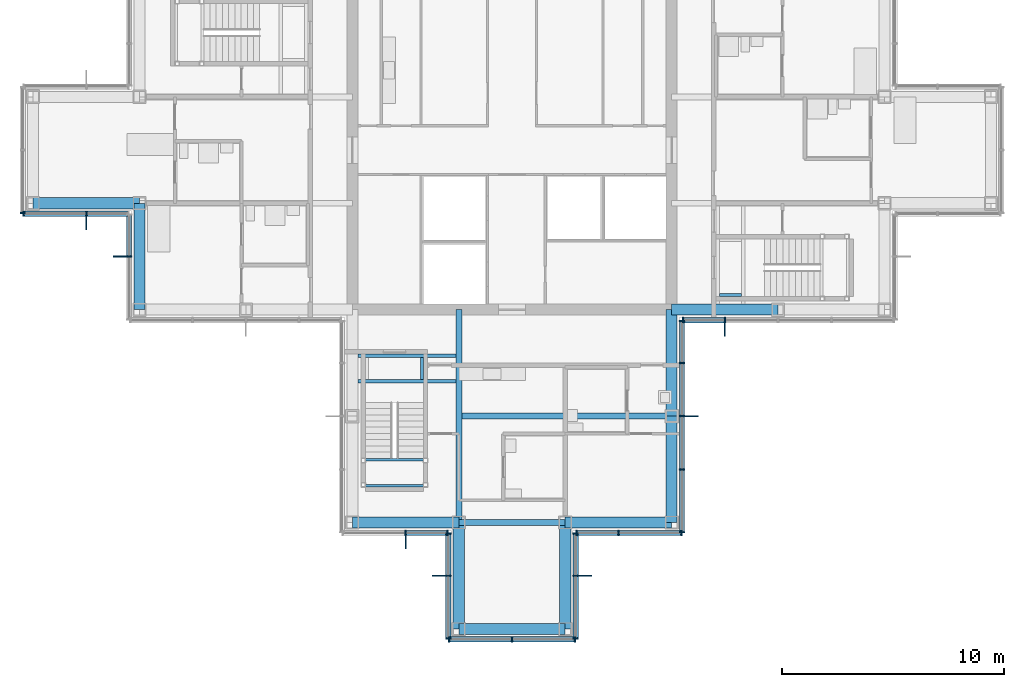
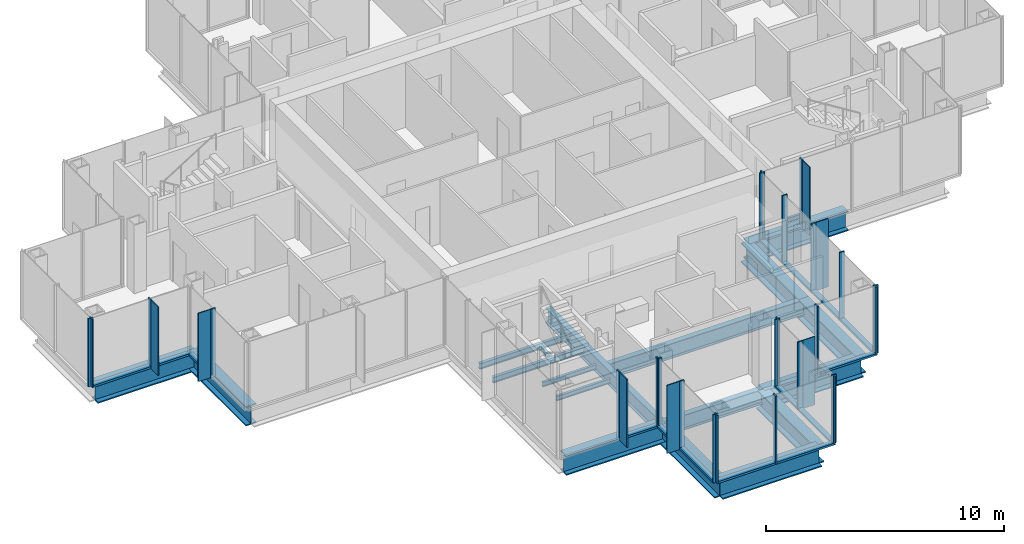
# One storey, part 6 of 17: 49 members, 19 beams, 10 elements without a shape of their own.
"""IFC4 building model written with IfcOpenShell, lengths in metres."""

import ifcopenshell
import ifcopenshell.guid

model = None  # the IFC model being written
_history = None  # IfcOwnerHistory: only IFC2X3 demands one
_inside = {}  # id of a spatial element -> (the spatial element, [elements in it])
_under = {}  # id of a project, library or spatial element -> (it, [spatial elements below it])
_declared = {}  # id of a project -> (the project, [libraries it declares])
_typed = {}  # id of a type object -> (the type object, [elements of that type])
_made_of = {}  # id of a material, layer set ... -> (it, [elements and type objects made of it])


def new_model(schema):
    """Start an empty IFC model of exactly this schema.

    Asked for "IFC4X3", IfcOpenShell would pick the latest addendum, in which some entities
    have other attributes; the version numbers below select the first issue.
    IFC2X3 requires an IfcOwnerHistory on every rooted entity: one is made here for all.
    """
    global model, _history
    if schema == "IFC4X3":
        model = ifcopenshell.file(schema_version=(4, 3, 0, 0))
    else:
        model = ifcopenshell.file(schema=schema)
    _inside.clear()
    _under.clear()
    _declared.clear()
    _typed.clear()
    _made_of.clear()
    _history = None
    if model.schema == "IFC2X3":
        org = make("IfcOrganization", Name="unknown")
        user = make(
            "IfcPersonAndOrganization",
            ThePerson=make("IfcPerson", FamilyName="unknown"),
            TheOrganization=org,
        )
        app = make(
            "IfcApplication",
            ApplicationDeveloper=org,
            Version="unknown",
            ApplicationFullName="unknown",
            ApplicationIdentifier="unknown",
        )
        _history = make(
            "IfcOwnerHistory",
            OwningUser=user,
            OwningApplication=app,
            ChangeAction="ADDED",
            CreationDate=0,
        )
    return model


def make(cls, **values):
    """One entity of the class cls with the attributes given. An attribute that is None is left unset."""
    return model.create_entity(
        cls, **{name: value for name, value in values.items() if value is not None}
    )


def rooted(cls, **values):
    """An entity with a GlobalId (a new one), such as an element, a storey or a relation."""
    return make(cls, GlobalId=ifcopenshell.guid.new(), OwnerHistory=_history, **values)


def si_unit(unit_type, name, prefix=None):
    """IfcSIUnit, for example si_unit("LENGTHUNIT", "METRE", prefix="MILLI")."""
    return make("IfcSIUnit", UnitType=unit_type, Prefix=prefix, Name=name)


def assignment(units):
    """IfcUnitAssignment: the units of a project."""
    return None if units is None else make("IfcUnitAssignment", Units=units)


def point(xyz):
    """IfcCartesianPoint."""
    return None if xyz is None else make("IfcCartesianPoint", Coordinates=xyz)


def direction(xyz):
    """IfcDirection."""
    return None if xyz is None else make("IfcDirection", DirectionRatios=xyz)


def frame(location, z_axis=None, x_axis=None):
    """IfcAxis2Placement3D, a coordinate frame: its origin and axes. An axis left out is left unset."""
    return make(
        "IfcAxis2Placement3D",
        Location=point(location),
        Axis=direction(z_axis),
        RefDirection=direction(x_axis),
    )


def frame_2d(location, x_axis=None):
    """IfcAxis2Placement2D, a coordinate frame in the plane: its origin and x axis."""
    return make(
        "IfcAxis2Placement2D", Location=point(location), RefDirection=direction(x_axis)
    )


def origin():
    """The frame at (0, 0, 0) with its axes left unset."""
    return frame((0.0, 0.0, 0.0))


def origin_2d():
    """The frame at (0, 0) in the plane with its x axis left unset."""
    return frame_2d((0.0, 0.0))


def place(relative_to, where):
    """IfcLocalPlacement: puts the frame where relative to a parent placement (None: the world)."""
    return make(
        "IfcLocalPlacement", PlacementRelTo=relative_to, RelativePlacement=where
    )


def context(
    kind, dimensions, precision=None, world=None, true_north=None, identifier=None
):
    """IfcGeometricRepresentationContext, for example the 3D "Model" context."""
    return make(
        "IfcGeometricRepresentationContext",
        ContextIdentifier=identifier,
        ContextType=kind,
        CoordinateSpaceDimension=dimensions,
        Precision=precision,
        WorldCoordinateSystem=world,
        TrueNorth=true_north,
    )


def subcontext(parent, identifier, kind, view, scale=None):
    """IfcGeometricRepresentationSubContext, for example "Body" below "Model"."""
    return make(
        "IfcGeometricRepresentationSubContext",
        ContextIdentifier=identifier,
        ContextType=kind,
        ParentContext=parent,
        TargetScale=scale,
        TargetView=view,
    )


def project(units=None, contexts=None):
    """IfcProject with its units and contexts."""
    return rooted(
        "IfcProject",
        Name="project",
        RepresentationContexts=contexts,
        UnitsInContext=assignment(units),
    )


def spatial(cls, under=None, at=None, **own):
    """A site, building, storey or space (cls), placed at a placement, below another one or the project."""
    s = rooted(cls, ObjectPlacement=at, **own)
    if under is not None:
        _under.setdefault(under.id(), (under, []))[1].append(s)
    return s


def profile(cls, at=None, kind="AREA", **sizes):
    """A parametric profile (cls). Its sizes go by their IFC names, for example OverallWidth=200.0."""
    return make(cls, ProfileType=kind, Position=at, **sizes)


def rectangle(**sizes):
    """IfcRectangleProfileDef."""
    return profile("IfcRectangleProfileDef", **sizes)


def i_section(**sizes):
    """IfcIShapeProfileDef."""
    return profile("IfcIShapeProfileDef", **sizes)


def extrude(swept, where, along, depth):
    """IfcExtrudedAreaSolid: the profile swept, set in the frame where, extruded along a direction by depth."""
    return make(
        "IfcExtrudedAreaSolid",
        SweptArea=swept,
        Position=where,
        ExtrudedDirection=direction(along),
        Depth=depth,
    )


def shape(context_of_items, identifier, shape_type, items):
    """IfcShapeRepresentation: the items that make up one representation, for example the "Body"."""
    return make(
        "IfcShapeRepresentation",
        ContextOfItems=context_of_items,
        RepresentationIdentifier=identifier,
        RepresentationType=shape_type,
        Items=items,
    )


def material(Name=None, Category=None):
    """IfcMaterial."""
    return make("IfcMaterial", Name=Name, Category=Category)


def material_profile(
    of_material, cross_section, Name=None, Category=None, Priority=None
):
    """IfcMaterialProfile: a cross section and its material."""
    return make(
        "IfcMaterialProfile",
        Name=Name,
        Material=of_material,
        Profile=cross_section,
        Priority=Priority,
        Category=Category,
    )


def profile_set(profiles, Name=None, composite=None):
    """IfcMaterialProfileSet."""
    return make(
        "IfcMaterialProfileSet",
        Name=Name,
        MaterialProfiles=profiles,
        CompositeProfile=composite,
    )


def made_of(thing, what):
    """Note that an element or type object is made of a material, layer set ...; save() writes the relation."""
    if what is not None:
        _made_of.setdefault(what.id(), (what, []))[1].append(thing)
    return thing


def type_object(cls, material=None, **own):
    """A type object (cls), such as IfcWallType, which elements share."""
    return made_of(rooted(cls, **own), material)


def element(
    cls,
    number,
    at=None,
    inside=None,
    cuts=None,
    type_object=None,
    material=None,
    context=None,
    identifier="Body",
    shape_type=None,
    held_by="IfcProductDefinitionShape",
    body=None,
    shapes=None,
    **own,
):
    """One element of the class cls, such as IfcWall. Its Tag is "e" and its number.

    at: its placement. inside: the storey or other place that contains it. cuts: it is an
    opening in that element (IfcRelVoidsElement). A single representation is given by context,
    identifier, shape_type and body (its items); several are given by shapes. held_by: the class
    of the entity that holds the representations. save() writes the other relations.
    """
    e = rooted(cls, Tag="e%d" % number, ObjectPlacement=at, **own)
    if body is not None:
        shapes = [shape(context, identifier, shape_type, body)]
    if shapes is not None:
        e.Representation = make(held_by, Representations=shapes)
    if inside is not None:
        _inside.setdefault(inside.id(), (inside, []))[1].append(e)
    if cuts is not None:
        rooted(
            "IfcRelVoidsElement", RelatingBuildingElement=cuts, RelatedOpeningElement=e
        )
    if type_object is not None:
        _typed.setdefault(type_object.id(), (type_object, []))[1].append(e)
    return made_of(e, material)


def aggregate(whole, parts):
    """IfcRelAggregates: a whole, such as a stair, and the parts it consists of."""
    return rooted("IfcRelAggregates", RelatingObject=whole, RelatedObjects=parts)


def save(model, path):
    """Write the relations noted so far, then the file.

    IfcRelAggregates (storeys below a building ...), IfcRelContainedInSpatialStructure (elements
    in a storey), IfcRelDefinesByType, IfcRelAssociatesMaterial and IfcRelDeclares: one each for
    every whole, place, type object, material and project.
    """
    for whole, parts in _under.values():
        aggregate(whole, parts)
    for where, things in _inside.values():
        rooted(
            "IfcRelContainedInSpatialStructure",
            RelatedElements=things,
            RelatingStructure=where,
        )
    for kind, things in _typed.values():
        rooted("IfcRelDefinesByType", RelatedObjects=things, RelatingType=kind)
    for what, things in _made_of.values():
        rooted("IfcRelAssociatesMaterial", RelatedObjects=things, RelatingMaterial=what)
    for by, libraries in _declared.values():
        rooted("IfcRelDeclares", RelatingContext=by, RelatedDefinitions=libraries)
    model.write(path)


model = new_model("IFC4")

# Units and contexts
model_context = context("Model", 3, precision=1e-05, world=origin(), true_north=direction((0.0, 1.0)))
body_context = subcontext(model_context, "Body", "Model", "MODEL_VIEW")
ifc_project = project(units=[si_unit("LENGTHUNIT", "METRE"), si_unit("AREAUNIT", "SQUARE_METRE"), si_unit("VOLUMEUNIT", "CUBIC_METRE"), si_unit("PLANEANGLEUNIT", "RADIAN"), si_unit("MASSUNIT", "GRAM", prefix="KILO")], contexts=[model_context])

# Site, building, storey
site_placement = place(None, origin())
site = spatial("IfcSite", under=ifc_project, at=site_placement, CompositionType="ELEMENT")
building_placement = place(site_placement, origin())
building = spatial("IfcBuilding", under=site, at=building_placement, Name="Kvirike Care Tower", CompositionType="ELEMENT")
storey_placement = place(building_placement, frame((0.0, 0.0, 151.5)))
storey = spatial("IfcBuildingStorey", under=building, at=storey_placement, Name="L41", CompositionType="ELEMENT", Elevation=151.5)

# Curtain wall, member
ifc_material_1 = material(Name="Anodised aluminium stick system", Category="aluminium")
curtain_wall_type = type_object("IfcCurtainWallType", Name="CW-C STICK CURTAIN WALL", PredefinedType="NOTDEFINED", material=ifc_material_1)
curtain_wall_1_placement = place(storey_placement, origin())
curtain_wall_1 = element("IfcCurtainWall", 1, at=curtain_wall_1_placement, inside=storey, type_object=curtain_wall_type, Name="Curtain wall L41 face 1", PredefinedType="NOTDEFINED")
ifc_material_2 = material(Name="Bronze anodised aluminium fin", Category="aluminium")
ifc_material_profile_1 = material_profile(ifc_material_2, rectangle(XDim=0.050048828125, YDim=0.60009765625, at=origin_2d()), Name="BRONZE FIN 600")
ifc_profile_set_1 = profile_set([ifc_material_profile_1], Name="Bronze anodised aluminium fin")
member_type_1 = type_object("IfcMemberType", Name="BRONZE FIN 600", PredefinedType="USERDEFINED", material=ifc_profile_set_1)
member_1_placement = place(storey_placement, frame((31.199951171875, 27.909912109375, 0.0), z_axis=(0.0, 0.0, 1.0), x_axis=(1.0, 0.0, 0.0)))
member_1 = element("IfcMember", 2, at=member_1_placement, type_object=member_type_1, Name="Bronze fin L41 face 1.2", ObjectType="FIN", PredefinedType="USERDEFINED", context=body_context, shape_type="SweptSolid", body=[
    extrude(rectangle(XDim=0.050048828125, YDim=0.60009765625, at=origin_2d()), origin(), (0.0, 0.0, 1.0), 3.5),
])

curtain_wall_2_placement = place(storey_placement, origin())
curtain_wall_2 = element("IfcCurtainWall", 3, at=curtain_wall_2_placement, inside=storey, type_object=curtain_wall_type, Name="Curtain wall L41 face 19", PredefinedType="NOTDEFINED")
member_2_placement = place(storey_placement, frame((2.39990234375, 32.7099609375, 0.0), z_axis=(0.0, 0.0, 1.0), x_axis=(1.0, 0.0, 0.0)))
member_2 = element("IfcMember", 4, at=member_2_placement, type_object=member_type_1, Name="Bronze fin L41 face 19.2", ObjectType="FIN", PredefinedType="USERDEFINED", context=body_context, shape_type="SweptSolid", body=[
    extrude(rectangle(XDim=0.050048828125, YDim=0.60009765625, at=origin_2d()), origin(), (0.0, 0.0, 1.0), 3.5),
])

curtain_wall_3_placement = place(storey_placement, origin())
curtain_wall_3 = element("IfcCurtainWall", 5, at=curtain_wall_3_placement, inside=storey, type_object=curtain_wall_type, Name="Curtain wall L41 face 20", PredefinedType="NOTDEFINED")
member_3_placement = place(storey_placement, frame((3.909912109375, 31.199951171875, 0.0), z_axis=(0.0, 0.0, 1.0), x_axis=(0.0, -1.0, 0.0)))
member_3 = element("IfcMember", 6, at=member_3_placement, type_object=member_type_1, Name="Bronze fin L41 face 20.2", ObjectType="FIN", PredefinedType="USERDEFINED", context=body_context, shape_type="SweptSolid", body=[
    extrude(rectangle(XDim=0.050048828125, YDim=0.60009765625, at=origin_2d()), origin(), (0.0, 0.0, 1.0), 3.5),
])

curtain_wall_4_placement = place(storey_placement, origin())
curtain_wall_4 = element("IfcCurtainWall", 7, at=curtain_wall_4_placement, inside=storey, type_object=curtain_wall_type, Name="Curtain wall L41 face 23", PredefinedType="NOTDEFINED")
member_4_placement = place(storey_placement, frame((16.800048828125, 18.31005859375, 0.0), z_axis=(0.0, 0.0, 1.0), x_axis=(1.0, 0.0, 0.0)))
member_4 = element("IfcMember", 8, at=member_4_placement, type_object=member_type_1, Name="Bronze fin L41 face 23.2", ObjectType="FIN", PredefinedType="USERDEFINED", context=body_context, shape_type="SweptSolid", body=[
    extrude(rectangle(XDim=0.050048828125, YDim=0.60009765625, at=origin_2d()), origin(), (0.0, 0.0, 1.0), 3.5),
])

curtain_wall_5_placement = place(storey_placement, origin())
curtain_wall_5 = element("IfcCurtainWall", 9, at=curtain_wall_5_placement, inside=storey, type_object=curtain_wall_type, Name="Curtain wall L41 face 24", PredefinedType="NOTDEFINED")
member_5_placement = place(storey_placement, frame((18.31005859375, 16.800048828125, 0.0), z_axis=(0.0, 0.0, 1.0), x_axis=(0.0, -1.0, 0.0)))
member_5 = element("IfcMember", 10, at=member_5_placement, type_object=member_type_1, Name="Bronze fin L41 face 24.2", ObjectType="FIN", PredefinedType="USERDEFINED", context=body_context, shape_type="SweptSolid", body=[
    extrude(rectangle(XDim=0.050048828125, YDim=0.60009765625, at=origin_2d()), origin(), (0.0, 0.0, 1.0), 3.5),
])

curtain_wall_6_placement = place(storey_placement, origin())
curtain_wall_6 = element("IfcCurtainWall", 11, at=curtain_wall_6_placement, inside=storey, type_object=curtain_wall_type, Name="Curtain wall L41 face 26", PredefinedType="NOTDEFINED")
member_6_placement = place(storey_placement, frame((24.889892578125, 16.800048828125, 0.0), z_axis=(0.0, 0.0, 1.0), x_axis=(0.0, 1.0, 0.0)))
member_6 = element("IfcMember", 12, at=member_6_placement, type_object=member_type_1, Name="Bronze fin L41 face 26.2", ObjectType="FIN", PredefinedType="USERDEFINED", context=body_context, shape_type="SweptSolid", body=[
    extrude(rectangle(XDim=0.050048828125, YDim=0.60009765625, at=origin_2d()), origin(), (0.0, 0.0, 1.0), 3.5),
])

curtain_wall_7_placement = place(storey_placement, origin())
curtain_wall_7 = element("IfcCurtainWall", 13, at=curtain_wall_7_placement, inside=storey, type_object=curtain_wall_type, Name="Curtain wall L41 face 28", PredefinedType="NOTDEFINED")
member_7_placement = place(storey_placement, frame((29.68994140625, 24.0, 0.0), z_axis=(0.0, 0.0, 1.0), x_axis=(0.0, 1.0, 0.0)))
member_7 = element("IfcMember", 14, at=member_7_placement, type_object=member_type_1, Name="Bronze fin L41 face 28.3", ObjectType="FIN", PredefinedType="USERDEFINED", context=body_context, shape_type="SweptSolid", body=[
    extrude(rectangle(XDim=0.050048828125, YDim=0.60009765625, at=origin_2d()), origin(), (0.0, 0.0, 1.0), 3.5),
])

# Member
ifc_material_3 = material(Name="Bronze anodised aluminium mullion", Category="aluminium")
ifc_material_profile_2 = material_profile(ifc_material_3, rectangle(XDim=0.06494140625, YDim=0.239990234375, at=origin_2d()), Name="CW-C MULLION 65x240")
ifc_profile_set_2 = profile_set([ifc_material_profile_2], Name="Bronze anodised aluminium mullion")
member_type_2 = type_object("IfcMemberType", Name="CW-C MULLION 65x240", PredefinedType="MULLION", material=ifc_profile_set_2)
member_8_placement = place(storey_placement, frame((29.302490234375, 28.330078125, 0.0), z_axis=(0.0, 0.0, 1.0), x_axis=(1.0, 0.0, 0.0)))
member_8 = element("IfcMember", 15, at=member_8_placement, type_object=member_type_2, Name="CW-C mullion L41 face 1.1", PredefinedType="MULLION", context=body_context, shape_type="SweptSolid", body=[
    extrude(rectangle(XDim=0.06494140625, YDim=0.239990234375, at=origin_2d()), origin(), (0.0, 0.0, 1.0), 3.5),
])

member_9_placement = place(storey_placement, frame((31.199951171875, 28.330078125, 0.0), z_axis=(0.0, 0.0, 1.0), x_axis=(1.0, 0.0, 0.0)))
member_9 = element("IfcMember", 16, at=member_9_placement, type_object=member_type_2, Name="CW-C mullion L41 face 1.2", PredefinedType="MULLION", context=body_context, shape_type="SweptSolid", body=[
    extrude(rectangle(XDim=0.06494140625, YDim=0.239990234375, at=origin_2d()), origin(), (0.0, 0.0, 1.0), 3.5),
])

# Curtain wall, member
curtain_wall_8_placement = place(storey_placement, origin())
curtain_wall_8 = element("IfcCurtainWall", 17, at=curtain_wall_8_placement, inside=storey, type_object=curtain_wall_type, Name="Curtain wall L41 face 18", PredefinedType="NOTDEFINED")
member_10_placement = place(storey_placement, frame((-0.469970703125, 33.16259765625, 0.0), z_axis=(0.0, 0.0, 1.0), x_axis=(0.0, -1.0, 0.0)))
member_10 = element("IfcMember", 18, at=member_10_placement, type_object=member_type_2, Name="CW-C mullion L41 face 18.3", PredefinedType="MULLION", context=body_context, shape_type="SweptSolid", body=[
    extrude(rectangle(XDim=0.06494140625, YDim=0.239990234375, at=origin_2d()), origin(), (0.0, 0.0, 1.0), 3.5),
])
aggregate(curtain_wall_8, [member_10])

# Member
member_11_placement = place(storey_placement, frame((-0.4375, 33.1298828125, 0.0), z_axis=(0.0, 0.0, 1.0), x_axis=(1.0, 0.0, 0.0)))
member_11 = element("IfcMember", 19, at=member_11_placement, type_object=member_type_2, Name="CW-C mullion L41 face 19.1", PredefinedType="MULLION", context=body_context, shape_type="SweptSolid", body=[
    extrude(rectangle(XDim=0.06494140625, YDim=0.239990234375, at=origin_2d()), origin(), (0.0, 0.0, 1.0), 3.5),
])

member_12_placement = place(storey_placement, frame((2.39990234375, 33.1298828125, 0.0), z_axis=(0.0, 0.0, 1.0), x_axis=(1.0, 0.0, 0.0)))
member_12 = element("IfcMember", 20, at=member_12_placement, type_object=member_type_2, Name="CW-C mullion L41 face 19.2", PredefinedType="MULLION", context=body_context, shape_type="SweptSolid", body=[
    extrude(rectangle(XDim=0.06494140625, YDim=0.239990234375, at=origin_2d()), origin(), (0.0, 0.0, 1.0), 3.5),
])

member_13_placement = place(storey_placement, frame((4.330078125, 31.199951171875, 0.0), z_axis=(0.0, 0.0, 1.0), x_axis=(0.0, -1.0, 0.0)))
member_13 = element("IfcMember", 21, at=member_13_placement, type_object=member_type_2, Name="CW-C mullion L41 face 20.2", PredefinedType="MULLION", context=body_context, shape_type="SweptSolid", body=[
    extrude(rectangle(XDim=0.06494140625, YDim=0.239990234375, at=origin_2d()), origin(), (0.0, 0.0, 1.0), 3.5),
])

member_14_placement = place(storey_placement, frame((16.800048828125, 18.72998046875, 0.0), z_axis=(0.0, 0.0, 1.0), x_axis=(1.0, 0.0, 0.0)))
member_14 = element("IfcMember", 22, at=member_14_placement, type_object=member_type_2, Name="CW-C mullion L41 face 23.2", PredefinedType="MULLION", context=body_context, shape_type="SweptSolid", body=[
    extrude(rectangle(XDim=0.06494140625, YDim=0.239990234375, at=origin_2d()), origin(), (0.0, 0.0, 1.0), 3.5),
])

member_15_placement = place(storey_placement, frame((18.697509765625, 18.72998046875, 0.0), z_axis=(0.0, 0.0, 1.0), x_axis=(1.0, 0.0, 0.0)))
member_15 = element("IfcMember", 23, at=member_15_placement, type_object=member_type_2, Name="CW-C mullion L41 face 23.3", PredefinedType="MULLION", context=body_context, shape_type="SweptSolid", body=[
    extrude(rectangle(XDim=0.06494140625, YDim=0.239990234375, at=origin_2d()), origin(), (0.0, 0.0, 1.0), 3.5),
])

member_16_placement = place(storey_placement, frame((18.72998046875, 18.697509765625, 0.0), z_axis=(0.0, 0.0, 1.0), x_axis=(0.0, -1.0, 0.0)))
member_16 = element("IfcMember", 24, at=member_16_placement, type_object=member_type_2, Name="CW-C mullion L41 face 24.1", PredefinedType="MULLION", context=body_context, shape_type="SweptSolid", body=[
    extrude(rectangle(XDim=0.06494140625, YDim=0.239990234375, at=origin_2d()), origin(), (0.0, 0.0, 1.0), 3.5),
])

member_17_placement = place(storey_placement, frame((18.72998046875, 16.800048828125, 0.0), z_axis=(0.0, 0.0, 1.0), x_axis=(0.0, -1.0, 0.0)))
member_17 = element("IfcMember", 25, at=member_17_placement, type_object=member_type_2, Name="CW-C mullion L41 face 24.2", PredefinedType="MULLION", context=body_context, shape_type="SweptSolid", body=[
    extrude(rectangle(XDim=0.06494140625, YDim=0.239990234375, at=origin_2d()), origin(), (0.0, 0.0, 1.0), 3.5),
])

member_18_placement = place(storey_placement, frame((18.72998046875, 13.96240234375, 0.0), z_axis=(0.0, 0.0, 1.0), x_axis=(0.0, -1.0, 0.0)))
member_18 = element("IfcMember", 26, at=member_18_placement, type_object=member_type_2, Name="CW-C mullion L41 face 24.3", PredefinedType="MULLION", context=body_context, shape_type="SweptSolid", body=[
    extrude(rectangle(XDim=0.06494140625, YDim=0.239990234375, at=origin_2d()), origin(), (0.0, 0.0, 1.0), 3.5),
])

# Curtain wall, members
curtain_wall_9_placement = place(storey_placement, origin())
curtain_wall_9 = element("IfcCurtainWall", 27, at=curtain_wall_9_placement, inside=storey, type_object=curtain_wall_type, Name="Curtain wall L41 face 25", PredefinedType="NOTDEFINED")
member_19_placement = place(storey_placement, frame((18.762451171875, 13.929931640625, 0.0), z_axis=(0.0, 0.0, 1.0), x_axis=(1.0, 0.0, 0.0)))
member_19 = element("IfcMember", 28, at=member_19_placement, type_object=member_type_2, Name="CW-C mullion L41 face 25.1", PredefinedType="MULLION", context=body_context, shape_type="SweptSolid", body=[
    extrude(rectangle(XDim=0.06494140625, YDim=0.239990234375, at=origin_2d()), origin(), (0.0, 0.0, 1.0), 3.5),
])
member_20_placement = place(storey_placement, frame((21.60009765625, 13.929931640625, 0.0), z_axis=(0.0, 0.0, 1.0), x_axis=(1.0, 0.0, 0.0)))
member_20 = element("IfcMember", 29, at=member_20_placement, type_object=member_type_2, Name="CW-C mullion L41 face 25.2", PredefinedType="MULLION", context=body_context, shape_type="SweptSolid", body=[
    extrude(rectangle(XDim=0.06494140625, YDim=0.239990234375, at=origin_2d()), origin(), (0.0, 0.0, 1.0), 3.5),
])
member_21_placement = place(storey_placement, frame((24.4375, 13.929931640625, 0.0), z_axis=(0.0, 0.0, 1.0), x_axis=(1.0, 0.0, 0.0)))
member_21 = element("IfcMember", 30, at=member_21_placement, type_object=member_type_2, Name="CW-C mullion L41 face 25.3", PredefinedType="MULLION", context=body_context, shape_type="SweptSolid", body=[
    extrude(rectangle(XDim=0.06494140625, YDim=0.239990234375, at=origin_2d()), origin(), (0.0, 0.0, 1.0), 3.5),
])

# Member
member_22_placement = place(storey_placement, frame((24.469970703125, 13.96240234375, 0.0), z_axis=(0.0, 0.0, 1.0), x_axis=(0.0, 1.0, 0.0)))
member_22 = element("IfcMember", 31, at=member_22_placement, type_object=member_type_2, Name="CW-C mullion L41 face 26.1", PredefinedType="MULLION", context=body_context, shape_type="SweptSolid", body=[
    extrude(rectangle(XDim=0.06494140625, YDim=0.239990234375, at=origin_2d()), origin(), (0.0, 0.0, 1.0), 3.5),
])

member_23_placement = place(storey_placement, frame((24.469970703125, 16.800048828125, 0.0), z_axis=(0.0, 0.0, 1.0), x_axis=(0.0, 1.0, 0.0)))
member_23 = element("IfcMember", 32, at=member_23_placement, type_object=member_type_2, Name="CW-C mullion L41 face 26.2", PredefinedType="MULLION", context=body_context, shape_type="SweptSolid", body=[
    extrude(rectangle(XDim=0.06494140625, YDim=0.239990234375, at=origin_2d()), origin(), (0.0, 0.0, 1.0), 3.5),
])

member_24_placement = place(storey_placement, frame((24.469970703125, 18.697509765625, 0.0), z_axis=(0.0, 0.0, 1.0), x_axis=(0.0, 1.0, 0.0)))
member_24 = element("IfcMember", 33, at=member_24_placement, type_object=member_type_2, Name="CW-C mullion L41 face 26.3", PredefinedType="MULLION", context=body_context, shape_type="SweptSolid", body=[
    extrude(rectangle(XDim=0.06494140625, YDim=0.239990234375, at=origin_2d()), origin(), (0.0, 0.0, 1.0), 3.5),
])

# Curtain wall, members
curtain_wall_10_placement = place(storey_placement, origin())
curtain_wall_10 = element("IfcCurtainWall", 34, at=curtain_wall_10_placement, inside=storey, type_object=curtain_wall_type, Name="Curtain wall L41 face 27", PredefinedType="NOTDEFINED")
member_25_placement = place(storey_placement, frame((24.50244140625, 18.72998046875, 0.0), z_axis=(0.0, 0.0, 1.0), x_axis=(1.0, 0.0, 0.0)))
member_25 = element("IfcMember", 35, at=member_25_placement, type_object=member_type_2, Name="CW-C mullion L41 face 27.1", PredefinedType="MULLION", context=body_context, shape_type="SweptSolid", body=[
    extrude(rectangle(XDim=0.06494140625, YDim=0.239990234375, at=origin_2d()), origin(), (0.0, 0.0, 1.0), 3.5),
])
member_26_placement = place(storey_placement, frame((26.39990234375, 18.72998046875, 0.0), z_axis=(0.0, 0.0, 1.0), x_axis=(1.0, 0.0, 0.0)))
member_26 = element("IfcMember", 36, at=member_26_placement, type_object=member_type_2, Name="CW-C mullion L41 face 27.2", PredefinedType="MULLION", context=body_context, shape_type="SweptSolid", body=[
    extrude(rectangle(XDim=0.06494140625, YDim=0.239990234375, at=origin_2d()), origin(), (0.0, 0.0, 1.0), 3.5),
])
member_27_placement = place(storey_placement, frame((29.237548828125, 18.72998046875, 0.0), z_axis=(0.0, 0.0, 1.0), x_axis=(1.0, 0.0, 0.0)))
member_27 = element("IfcMember", 37, at=member_27_placement, type_object=member_type_2, Name="CW-C mullion L41 face 27.3", PredefinedType="MULLION", context=body_context, shape_type="SweptSolid", body=[
    extrude(rectangle(XDim=0.06494140625, YDim=0.239990234375, at=origin_2d()), origin(), (0.0, 0.0, 1.0), 3.5),
])

# Member
member_28_placement = place(storey_placement, frame((29.27001953125, 18.762451171875, 0.0), z_axis=(0.0, 0.0, 1.0), x_axis=(0.0, 1.0, 0.0)))
member_28 = element("IfcMember", 38, at=member_28_placement, type_object=member_type_2, Name="CW-C mullion L41 face 28.1", PredefinedType="MULLION", context=body_context, shape_type="SweptSolid", body=[
    extrude(rectangle(XDim=0.06494140625, YDim=0.239990234375, at=origin_2d()), origin(), (0.0, 0.0, 1.0), 3.5),
])

member_29_placement = place(storey_placement, frame((29.27001953125, 21.60009765625, 0.0), z_axis=(0.0, 0.0, 1.0), x_axis=(0.0, 1.0, 0.0)))
member_29 = element("IfcMember", 39, at=member_29_placement, type_object=member_type_2, Name="CW-C mullion L41 face 28.2", PredefinedType="MULLION", context=body_context, shape_type="SweptSolid", body=[
    extrude(rectangle(XDim=0.06494140625, YDim=0.239990234375, at=origin_2d()), origin(), (0.0, 0.0, 1.0), 3.5),
])

member_30_placement = place(storey_placement, frame((29.27001953125, 24.0, 0.0), z_axis=(0.0, 0.0, 1.0), x_axis=(0.0, 1.0, 0.0)))
member_30 = element("IfcMember", 40, at=member_30_placement, type_object=member_type_2, Name="CW-C mullion L41 face 28.3", PredefinedType="MULLION", context=body_context, shape_type="SweptSolid", body=[
    extrude(rectangle(XDim=0.06494140625, YDim=0.239990234375, at=origin_2d()), origin(), (0.0, 0.0, 1.0), 3.5),
])

member_31_placement = place(storey_placement, frame((29.27001953125, 26.39990234375, 0.0), z_axis=(0.0, 0.0, 1.0), x_axis=(0.0, 1.0, 0.0)))
member_31 = element("IfcMember", 41, at=member_31_placement, type_object=member_type_2, Name="CW-C mullion L41 face 28.4", PredefinedType="MULLION", context=body_context, shape_type="SweptSolid", body=[
    extrude(rectangle(XDim=0.06494140625, YDim=0.239990234375, at=origin_2d()), origin(), (0.0, 0.0, 1.0), 3.5),
])

member_32_placement = place(storey_placement, frame((29.27001953125, 28.297607421875, 0.0), z_axis=(0.0, 0.0, 1.0), x_axis=(0.0, 1.0, 0.0)))
member_32 = element("IfcMember", 42, at=member_32_placement, type_object=member_type_2, Name="CW-C mullion L41 face 28.5", PredefinedType="MULLION", context=body_context, shape_type="SweptSolid", body=[
    extrude(rectangle(XDim=0.06494140625, YDim=0.239990234375, at=origin_2d()), origin(), (0.0, 0.0, 1.0), 3.5),
])

ifc_material_4 = material(Name="Bronze anodised aluminium transom", Category="aluminium")
ifc_material_profile_3 = material_profile(ifc_material_4, rectangle(XDim=0.239990234375, YDim=0.10009765625, at=origin_2d()), Name="CW-C TRANSOM 240x100")
ifc_profile_set_3 = profile_set([ifc_material_profile_3], Name="Bronze anodised aluminium transom")
member_type_3 = type_object("IfcMemberType", Name="CW-C TRANSOM 240x100", PredefinedType="USERDEFINED", material=ifc_profile_set_3)
member_33_placement = place(storey_placement, frame((29.3349609375, 28.330078125, 0.050048828125), z_axis=(1.0, 0.0, 0.0), x_axis=(0.0, 1.0, 0.0)))
member_33 = element("IfcMember", 43, at=member_33_placement, type_object=member_type_3, Name="CW-C sill transom L41 face 1.1", ObjectType="TRANSOM", PredefinedType="USERDEFINED", context=body_context, shape_type="SweptSolid", body=[
    extrude(rectangle(XDim=0.239990234375, YDim=0.10009765625, at=origin_2d()), origin(), (0.0, 0.0, 1.0), 1.83251953125),
])

aggregate(curtain_wall_1, [member_8, member_9, member_1, member_33])

member_34_placement = place(storey_placement, frame((-0.405029296875, 33.1298828125, 0.050048828125), z_axis=(1.0, 0.0, 0.0), x_axis=(0.0, 1.0, 0.0)))
member_34 = element("IfcMember", 44, at=member_34_placement, type_object=member_type_3, Name="CW-C sill transom L41 face 19.1", ObjectType="TRANSOM", PredefinedType="USERDEFINED", context=body_context, shape_type="SweptSolid", body=[
    extrude(rectangle(XDim=0.239990234375, YDim=0.10009765625, at=origin_2d()), origin(), (0.0, 0.0, 1.0), 2.7724609375),
])

member_35_placement = place(storey_placement, frame((2.4326171875, 33.1298828125, 0.050048828125), z_axis=(1.0, 0.0, 0.0), x_axis=(0.0, 1.0, 0.0)))
member_35 = element("IfcMember", 45, at=member_35_placement, type_object=member_type_3, Name="CW-C sill transom L41 face 19.2", ObjectType="TRANSOM", PredefinedType="USERDEFINED", context=body_context, shape_type="SweptSolid", body=[
    extrude(rectangle(XDim=0.239990234375, YDim=0.10009765625, at=origin_2d()), origin(), (0.0, 0.0, 1.0), 1.832275390625),
])

aggregate(curtain_wall_2, [member_11, member_12, member_2, member_34, member_35])

member_36_placement = place(storey_placement, frame((4.330078125, 33.06494140625, 0.050048828125), z_axis=(0.0, -1.0, 0.0), x_axis=(1.0, 0.0, 0.0)))
member_36 = element("IfcMember", 46, at=member_36_placement, type_object=member_type_3, Name="CW-C sill transom L41 face 20.1", ObjectType="TRANSOM", PredefinedType="USERDEFINED", context=body_context, shape_type="SweptSolid", body=[
    extrude(rectangle(XDim=0.239990234375, YDim=0.10009765625, at=origin_2d()), origin(), (0.0, 0.0, 1.0), 1.83251953125),
])

aggregate(curtain_wall_3, [member_13, member_3, member_36])

member_37_placement = place(storey_placement, frame((16.83251953125, 18.72998046875, 0.050048828125), z_axis=(1.0, 0.0, 0.0), x_axis=(0.0, 1.0, 0.0)))
member_37 = element("IfcMember", 47, at=member_37_placement, type_object=member_type_3, Name="CW-C sill transom L41 face 23.2", ObjectType="TRANSOM", PredefinedType="USERDEFINED", context=body_context, shape_type="SweptSolid", body=[
    extrude(rectangle(XDim=0.239990234375, YDim=0.10009765625, at=origin_2d()), origin(), (0.0, 0.0, 1.0), 1.83251953125),
])

aggregate(curtain_wall_4, [member_14, member_4, member_15, member_37])

member_38_placement = place(storey_placement, frame((18.72998046875, 18.6650390625, 0.050048828125), z_axis=(0.0, -1.0, 0.0), x_axis=(1.0, 0.0, 0.0)))
member_38 = element("IfcMember", 48, at=member_38_placement, type_object=member_type_3, Name="CW-C sill transom L41 face 24.1", ObjectType="TRANSOM", PredefinedType="USERDEFINED", context=body_context, shape_type="SweptSolid", body=[
    extrude(rectangle(XDim=0.239990234375, YDim=0.10009765625, at=origin_2d()), origin(), (0.0, 0.0, 1.0), 1.83251953125),
])

member_39_placement = place(storey_placement, frame((18.72998046875, 16.767578125, 0.050048828125), z_axis=(0.0, -1.0, 0.0), x_axis=(1.0, 0.0, 0.0)))
member_39 = element("IfcMember", 49, at=member_39_placement, type_object=member_type_3, Name="CW-C sill transom L41 face 24.2", ObjectType="TRANSOM", PredefinedType="USERDEFINED", context=body_context, shape_type="SweptSolid", body=[
    extrude(rectangle(XDim=0.239990234375, YDim=0.10009765625, at=origin_2d()), origin(), (0.0, 0.0, 1.0), 2.7724609375),
])

aggregate(curtain_wall_5, [member_16, member_17, member_5, member_18, member_38, member_39])

member_40_placement = place(storey_placement, frame((18.794921875, 13.929931640625, 0.050048828125), z_axis=(1.0, 0.0, 0.0), x_axis=(0.0, 1.0, 0.0)))
member_40 = element("IfcMember", 50, at=member_40_placement, type_object=member_type_3, Name="CW-C sill transom L41 face 25.1", ObjectType="TRANSOM", PredefinedType="USERDEFINED", context=body_context, shape_type="SweptSolid", body=[
    extrude(rectangle(XDim=0.239990234375, YDim=0.10009765625, at=origin_2d()), origin(), (0.0, 0.0, 1.0), 2.7724609375),
])

member_41_placement = place(storey_placement, frame((21.632568359375, 13.929931640625, 0.050048828125), z_axis=(1.0, 0.0, 0.0), x_axis=(0.0, 1.0, 0.0)))
member_41 = element("IfcMember", 51, at=member_41_placement, type_object=member_type_3, Name="CW-C sill transom L41 face 25.2", ObjectType="TRANSOM", PredefinedType="USERDEFINED", context=body_context, shape_type="SweptSolid", body=[
    extrude(rectangle(XDim=0.239990234375, YDim=0.10009765625, at=origin_2d()), origin(), (0.0, 0.0, 1.0), 2.7724609375),
])

aggregate(curtain_wall_9, [member_19, member_20, member_21, member_40, member_41])

member_42_placement = place(storey_placement, frame((24.469970703125, 13.9951171875, 0.050048828125), z_axis=(0.0, 1.0, 0.0), x_axis=(-1.0, 0.0, 0.0)))
member_42 = element("IfcMember", 52, at=member_42_placement, type_object=member_type_3, Name="CW-C sill transom L41 face 26.1", ObjectType="TRANSOM", PredefinedType="USERDEFINED", context=body_context, shape_type="SweptSolid", body=[
    extrude(rectangle(XDim=0.239990234375, YDim=0.10009765625, at=origin_2d()), origin(), (0.0, 0.0, 1.0), 2.7724609375),
])

member_43_placement = place(storey_placement, frame((24.469970703125, 16.83251953125, 0.050048828125), z_axis=(0.0, 1.0, 0.0), x_axis=(-1.0, 0.0, 0.0)))
member_43 = element("IfcMember", 53, at=member_43_placement, type_object=member_type_3, Name="CW-C sill transom L41 face 26.2", ObjectType="TRANSOM", PredefinedType="USERDEFINED", context=body_context, shape_type="SweptSolid", body=[
    extrude(rectangle(XDim=0.239990234375, YDim=0.10009765625, at=origin_2d()), origin(), (0.0, 0.0, 1.0), 1.83251953125),
])

aggregate(curtain_wall_6, [member_22, member_23, member_6, member_24, member_42, member_43])

member_44_placement = place(storey_placement, frame((24.534912109375, 18.72998046875, 0.050048828125), z_axis=(1.0, 0.0, 0.0), x_axis=(0.0, 1.0, 0.0)))
member_44 = element("IfcMember", 54, at=member_44_placement, type_object=member_type_3, Name="CW-C sill transom L41 face 27.1", ObjectType="TRANSOM", PredefinedType="USERDEFINED", context=body_context, shape_type="SweptSolid", body=[
    extrude(rectangle(XDim=0.239990234375, YDim=0.10009765625, at=origin_2d()), origin(), (0.0, 0.0, 1.0), 1.83251953125),
])

member_45_placement = place(storey_placement, frame((26.4326171875, 18.72998046875, 0.050048828125), z_axis=(1.0, 0.0, 0.0), x_axis=(0.0, 1.0, 0.0)))
member_45 = element("IfcMember", 55, at=member_45_placement, type_object=member_type_3, Name="CW-C sill transom L41 face 27.2", ObjectType="TRANSOM", PredefinedType="USERDEFINED", context=body_context, shape_type="SweptSolid", body=[
    extrude(rectangle(XDim=0.239990234375, YDim=0.10009765625, at=origin_2d()), origin(), (0.0, 0.0, 1.0), 2.7724609375),
])

aggregate(curtain_wall_10, [member_25, member_26, member_27, member_44, member_45])

member_46_placement = place(storey_placement, frame((29.27001953125, 18.794921875, 0.050048828125), z_axis=(0.0, 1.0, 0.0), x_axis=(-1.0, 0.0, 0.0)))
member_46 = element("IfcMember", 56, at=member_46_placement, type_object=member_type_3, Name="CW-C sill transom L41 face 28.1", ObjectType="TRANSOM", PredefinedType="USERDEFINED", context=body_context, shape_type="SweptSolid", body=[
    extrude(rectangle(XDim=0.239990234375, YDim=0.10009765625, at=origin_2d()), origin(), (0.0, 0.0, 1.0), 2.7724609375),
])

member_47_placement = place(storey_placement, frame((29.27001953125, 21.632568359375, 0.050048828125), z_axis=(0.0, 1.0, 0.0), x_axis=(-1.0, 0.0, 0.0)))
member_47 = element("IfcMember", 57, at=member_47_placement, type_object=member_type_3, Name="CW-C sill transom L41 face 28.2", ObjectType="TRANSOM", PredefinedType="USERDEFINED", context=body_context, shape_type="SweptSolid", body=[
    extrude(rectangle(XDim=0.239990234375, YDim=0.10009765625, at=origin_2d()), origin(), (0.0, 0.0, 1.0), 2.3349609375),
])

member_48_placement = place(storey_placement, frame((29.27001953125, 24.032470703125, 0.050048828125), z_axis=(0.0, 1.0, 0.0), x_axis=(-1.0, 0.0, 0.0)))
member_48 = element("IfcMember", 58, at=member_48_placement, type_object=member_type_3, Name="CW-C sill transom L41 face 28.3", ObjectType="TRANSOM", PredefinedType="USERDEFINED", context=body_context, shape_type="SweptSolid", body=[
    extrude(rectangle(XDim=0.239990234375, YDim=0.10009765625, at=origin_2d()), origin(), (0.0, 0.0, 1.0), 2.3349609375),
])

member_49_placement = place(storey_placement, frame((29.27001953125, 26.4326171875, 0.050048828125), z_axis=(0.0, 1.0, 0.0), x_axis=(-1.0, 0.0, 0.0)))
member_49 = element("IfcMember", 59, at=member_49_placement, type_object=member_type_3, Name="CW-C sill transom L41 face 28.4", ObjectType="TRANSOM", PredefinedType="USERDEFINED", context=body_context, shape_type="SweptSolid", body=[
    extrude(rectangle(XDim=0.239990234375, YDim=0.10009765625, at=origin_2d()), origin(), (0.0, 0.0, 1.0), 1.832275390625),
])

aggregate(curtain_wall_7, [member_28, member_29, member_30, member_7, member_31, member_32, member_46, member_47, member_48, member_49])

# Beams
ifc_material_5 = material(Name="Steel S355", Category="steel")
ifc_material_profile_4 = material_profile(ifc_material_5, i_section(OverallWidth=0.26806640625, OverallDepth=0.77001953125, WebThickness=0.015625, FlangeThickness=0.025390625, FilletRadius=0.01708984375, at=origin_2d()), Name="IPE 750x196")
ifc_profile_set_4 = profile_set([ifc_material_profile_4], Name="Steel S355")
beam_type_1 = type_object("IfcBeamType", Name="FLOOR BEAM IPE 750x196", PredefinedType="BEAM", material=ifc_profile_set_4)
beam_1_placement = place(storey_placement, frame((19.199951171875, 19.199951171875, -0.554931640625), z_axis=(1.0, 0.0, 0.0), x_axis=(0.0, 1.0, 0.0)))
element("IfcBeam", 60, at=beam_1_placement, inside=storey, type_object=beam_type_1, Name="Floor Beam E7-E8 L41", PredefinedType="BEAM", context=body_context, shape_type="SweptSolid", body=[
    extrude(i_section(OverallWidth=0.26806640625, OverallDepth=0.77001953125, WebThickness=0.015625, FlangeThickness=0.025390625, FilletRadius=0.01708984375, at=origin_2d()), origin(), (0.0, 0.0, 1.0), 4.800048828125),
])
for number, where, z_axis, x_axis, name in (
    (61, (19.199951171875, 24.0, -0.554931640625), (1.0, 0.0, 0.0), (0.0, 1.0, 0.0), "Floor Beam F7-F9 L41"),
    (62, (19.199951171875, 19.199951171875, -0.554931640625), (0.0, 1.0, 0.0), (-1.0, 0.0, 0.0), "Floor Beam E7-G7 L41"),
):
    element("IfcBeam", number, at=place(storey_placement, frame(where, z_axis=z_axis, x_axis=x_axis)), inside=storey, type_object=beam_type_1, Name=name, PredefinedType="BEAM", context=body_context, shape_type="SweptSolid", body=[
        extrude(i_section(OverallWidth=0.26806640625, OverallDepth=0.77001953125, WebThickness=0.015625, FlangeThickness=0.025390625, FilletRadius=0.01708984375, at=origin_2d()), origin(), (0.0, 0.0, 1.0), 9.60009765625),
    ])
ifc_material_6 = material(Name="Steel S355", Category="steel")
ifc_material_profile_5 = material_profile(ifc_material_6, i_section(OverallWidth=0.5, OverallDepth=1.0, WebThickness=0.030029296875, FlangeThickness=0.06005859375, at=origin_2d()), Name="PG 1000x500x30x60")
ifc_profile_set_5 = profile_set([ifc_material_profile_5], Name="Steel S355")
beam_type_2 = type_object("IfcBeamType", Name="SPANDREL PG 1000x500x30x60", PredefinedType="SPANDREL", material=ifc_profile_set_5)
for number, where, z_axis, x_axis, name in (
    (63, (19.199951171875, 14.39990234375, -0.669921875), (1.0, 0.0, 0.0), (0.0, 1.0, 0.0), "Spandrel D7-D8 L41"),
    (64, (14.39990234375, 19.199951171875, -0.669921875), (1.0, 0.0, 0.0), (0.0, 1.0, 0.0), "Spandrel E6-E7 L41"),
    (65, (24.0, 19.199951171875, -0.669921875), (1.0, 0.0, 0.0), (0.0, 1.0, 0.0), "Spandrel E8-E9 L41"),
    (66, (28.800048828125, 28.800048828125, -0.669921875), (1.0, 0.0, 0.0), (0.0, 1.0, 0.0), "Spandrel G9-G10 L41"),
    (67, (0.0, 33.60009765625, -0.669921875), (1.0, 0.0, 0.0), (0.0, 1.0, 0.0), "Spandrel H3-H4 L41"),
    (68, (4.800048828125, 28.800048828125, -0.669921875), (0.0, 1.0, 0.0), (-1.0, 0.0, 0.0), "Spandrel G4-H4 L41"),
    (69, (19.199951171875, 14.39990234375, -0.669921875), (0.0, 1.0, 0.0), (-1.0, 0.0, 0.0), "Spandrel D7-E7 L41"),
    (70, (24.0, 14.39990234375, -0.669921875), (0.0, 1.0, 0.0), (-1.0, 0.0, 0.0), "Spandrel D8-E8 L41"),
    (71, (28.800048828125, 19.199951171875, -0.669921875), (0.0, 1.0, 0.0), (-1.0, 0.0, 0.0), "Spandrel E9-F9 L41"),
    (72, (28.800048828125, 24.0, -0.669921875), (0.0, 1.0, 0.0), (-1.0, 0.0, 0.0), "Spandrel F9-G9 L41"),
):
    element("IfcBeam", number, at=place(storey_placement, frame(where, z_axis=z_axis, x_axis=x_axis)), inside=storey, type_object=beam_type_2, Name=name, PredefinedType="SPANDREL", context=body_context, shape_type="SweptSolid", body=[
        extrude(i_section(OverallWidth=0.5, OverallDepth=1.0, WebThickness=0.030029296875, FlangeThickness=0.06005859375, at=origin_2d()), origin(), (0.0, 0.0, 1.0), 4.800048828125),
    ])
ifc_material_7 = material(Name="Steel S355", Category="steel")
ifc_material_profile_6 = material_profile(ifc_material_7, i_section(OverallWidth=0.1201171875, OverallDepth=0.239990234375, WebThickness=0.006103515625, FlangeThickness=0.009765625, FilletRadius=0.014892578125, at=origin_2d()), Name="IPE 240")
ifc_profile_set_6 = profile_set([ifc_material_profile_6], Name="Steel S355")
beam_type_3 = type_object("IfcBeamType", Name="STAIR LANDING BEAM IPE 240", PredefinedType="BEAM", material=ifc_profile_set_6)
beam_2_placement = place(storey_placement, frame((31.949951171875, 29.4599609375, -0.320068359375), z_axis=(-1.0, 0.0, 0.0), x_axis=(0.0, -1.0, 0.0)))
element("IfcBeam", 73, at=beam_2_placement, inside=storey, type_object=beam_type_3, Name="Stair 2 landing edge beam 1 L41", PredefinedType="BEAM", context=body_context, shape_type="SweptSolid", body=[
    extrude(i_section(OverallWidth=0.1201171875, OverallDepth=0.239990234375, WebThickness=0.006103515625, FlangeThickness=0.009765625, FilletRadius=0.014892578125, at=origin_2d()), origin(), (0.0, 0.0, 1.0), 1.0),
])
for number, where, z_axis, x_axis, name in (
    (74, (15.0, 20.860107421875, 1.429931640625), (1.0, 0.0, 0.0), (0.0, 1.0, 0.0), "Stair 5 landing beam back L41"),
    (75, (15.0, 22.0400390625, 1.429931640625), (1.0, 0.0, 0.0), (0.0, 1.0, 0.0), "Stair 5 landing beam front L41"),
):
    element("IfcBeam", number, at=place(storey_placement, frame(where, z_axis=z_axis, x_axis=x_axis)), inside=storey, type_object=beam_type_3, Name=name, PredefinedType="BEAM", context=body_context, shape_type="SweptSolid", body=[
        extrude(i_section(OverallWidth=0.1201171875, OverallDepth=0.239990234375, WebThickness=0.006103515625, FlangeThickness=0.009765625, FilletRadius=0.014892578125, at=origin_2d()), origin(), (0.0, 0.0, 1.0), 2.60009765625),
    ])
beam_3_placement = place(storey_placement, frame((17.5400390625, 25.64990234375, -0.320068359375), z_axis=(0.0, 1.0, 0.0), x_axis=(-1.0, 0.0, 0.0)))
element("IfcBeam", 76, at=beam_3_placement, inside=storey, type_object=beam_type_3, Name="Stair 5 landing edge beam 2 L41", PredefinedType="BEAM", context=body_context, shape_type="SweptSolid", body=[
    extrude(i_section(OverallWidth=0.1201171875, OverallDepth=0.239990234375, WebThickness=0.006103515625, FlangeThickness=0.009765625, FilletRadius=0.014892578125, at=origin_2d()), origin(), (0.0, 0.0, 1.0), 1.0),
])
ifc_material_8 = material(Name="Steel S355", Category="steel")
ifc_material_profile_7 = material_profile(ifc_material_8, i_section(OverallWidth=0.14990234375, OverallDepth=0.300048828125, WebThickness=0.007080078125, FlangeThickness=0.0107421875, FilletRadius=0.014892578125, at=origin_2d()), Name="IPE 300")
ifc_profile_set_7 = profile_set([ifc_material_profile_7], Name="Steel S355")
beam_type_4 = type_object("IfcBeamType", Name="STAIR TRIMMER IPE 300", PredefinedType="BEAM", material=ifc_profile_set_7)
for number, where, z_axis, x_axis, name in (
    (77, (14.64990234375, 25.574951171875, -0.35009765625), (1.0, 0.0, 0.0), (0.0, 1.0, 0.0), "Stair 5 trimmer 1 L41"),
    (78, (14.64990234375, 26.72509765625, -0.35009765625), (1.0, 0.0, 0.0), (0.0, 1.0, 0.0), "Stair 5 trimmer 2 L41"),
):
    element("IfcBeam", number, at=place(storey_placement, frame(where, z_axis=z_axis, x_axis=x_axis)), inside=storey, type_object=beam_type_4, Name=name, PredefinedType="BEAM", context=body_context, shape_type="SweptSolid", body=[
        extrude(i_section(OverallWidth=0.14990234375, OverallDepth=0.300048828125, WebThickness=0.007080078125, FlangeThickness=0.0107421875, FilletRadius=0.014892578125, at=origin_2d()), origin(), (0.0, 0.0, 1.0), 4.416015625),
    ])

save(model, "model.ifc")
